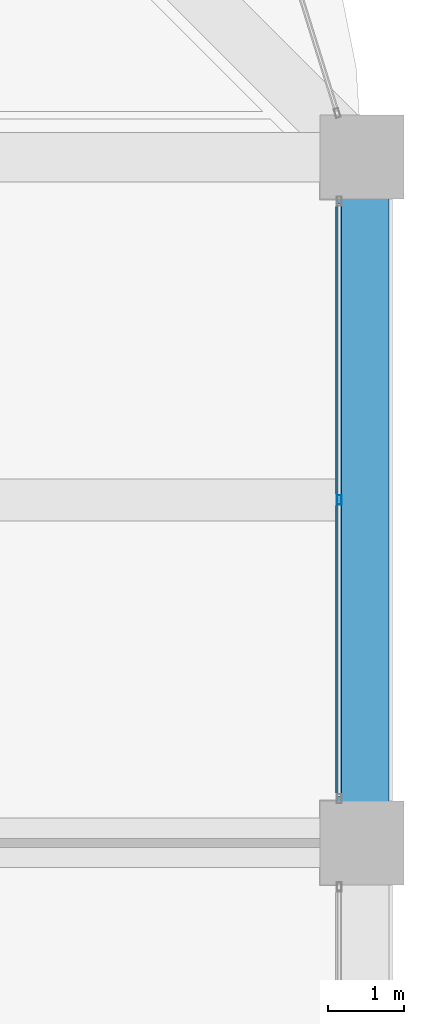
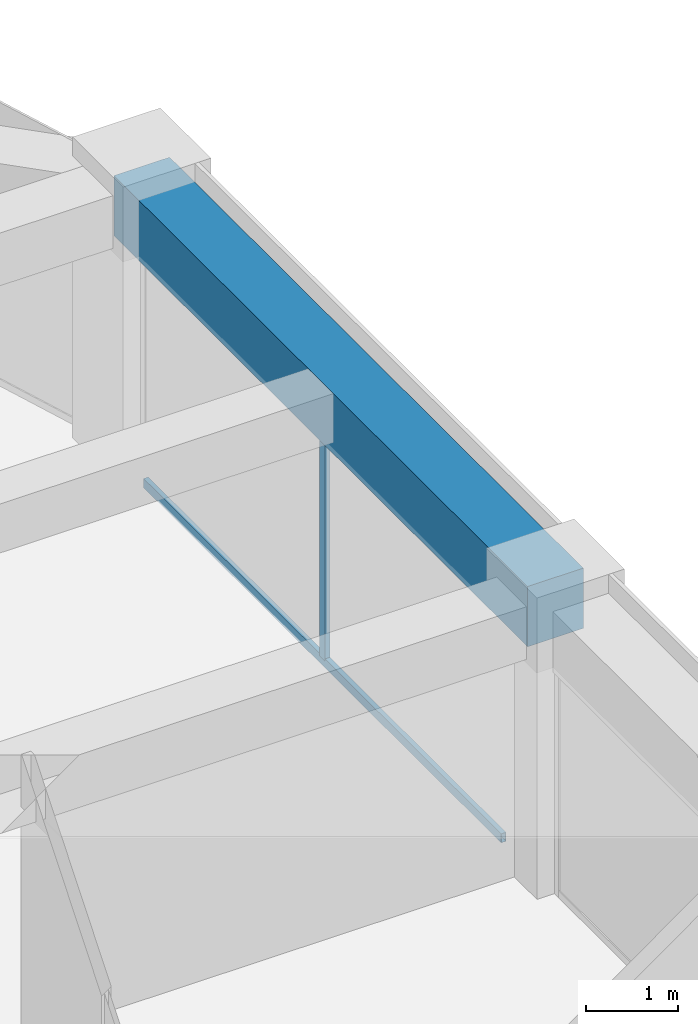
# One storey, part 27 of 44: 2 members, 1 beam, 1 element without a shape of its own.
"""IFC4 building model written with IfcOpenShell, lengths in metres."""

from ifc_helpers import new_model, si_unit, direction, frame, origin, origin_2d, place, context, subcontext, project, spatial, rectangle, hollow_rectangle, extrude, material, material_profile, profile_set, type_object, element, aggregate, save


model = new_model("IFC4")

# Units and contexts
model_context = context("Model", 3, precision=1e-05, world=origin(), true_north=direction((0.0, 1.0)))
body_context = subcontext(model_context, "Body", "Model", "MODEL_VIEW")
ifc_project = project(units=[si_unit("LENGTHUNIT", "METRE"), si_unit("AREAUNIT", "SQUARE_METRE"), si_unit("VOLUMEUNIT", "CUBIC_METRE"), si_unit("PLANEANGLEUNIT", "RADIAN"), si_unit("MASSUNIT", "GRAM", prefix="KILO")], contexts=[model_context])

# Site, building, storey
site_placement = place(None, origin())
site = spatial("IfcSite", under=ifc_project, at=site_placement, CompositionType="ELEMENT")
building_placement = place(site_placement, origin())
building = spatial("IfcBuilding", under=site, at=building_placement, Name="Zorevar Civic Tower", CompositionType="ELEMENT")
storey_placement = place(building_placement, frame((0.0, 0.0, 267.39990234375)))
storey = spatial("IfcBuildingStorey", under=building, at=storey_placement, Name="L65", CompositionType="ELEMENT", Elevation=267.39990234375)

# Curtain wall, members
ifc_material_1 = material(Name="Dark grey solar-control glass in black aluminium frame", Category="aluminium")
curtain_wall_type = type_object("IfcCurtainWallType", Name="Curtain wall CW5 top zone", PredefinedType="NOTDEFINED", material=ifc_material_1)
curtain_wall_placement = place(storey_placement, origin())
curtain_wall = element("IfcCurtainWall", 1, at=curtain_wall_placement, inside=storey, type_object=curtain_wall_type, Name="CW5 L65", PredefinedType="NOTDEFINED")
ifc_material_2 = material(Name="Aluminium, black anodised", Category="aluminium")
ifc_material_profile_1 = material_profile(ifc_material_2, hollow_rectangle(XDim=0.06005859375, YDim=0.1201171875, WallThickness=0.0029296875, at=origin_2d()), Name="AL 120x60x3")
ifc_profile_set_1 = profile_set([ifc_material_profile_1], Name="Aluminium, black anodised")
member_type_1 = type_object("IfcMemberType", Name="CW5 mullion AL 120x60x3", PredefinedType="MULLION", material=ifc_profile_set_1)
member_1_placement = place(storey_placement, frame((53.699951171875, 31.5, 0.06005859375), z_axis=(0.0, 0.0, 1.0), x_axis=(-1.0, 0.0, 0.0)))
member_1 = element("IfcMember", 2, at=member_1_placement, type_object=member_type_1, Name="CW5 mullion 2", PredefinedType="MULLION", context=body_context, shape_type="SweptSolid", body=[
    extrude(hollow_rectangle(XDim=0.06005859375, YDim=0.1201171875, WallThickness=0.0029296875, at=origin_2d()), origin(), (0.0, 0.0, 1.0), 2.89013671875),
])
ifc_material_3 = material(Name="Aluminium, black anodised", Category="aluminium")
ifc_material_profile_2 = material_profile(ifc_material_3, hollow_rectangle(XDim=0.06005859375, YDim=0.1201171875, WallThickness=0.0029296875, at=origin_2d()), Name="AL 120x60x3")
ifc_profile_set_2 = profile_set([ifc_material_profile_2], Name="Aluminium, black anodised")
member_type_2 = type_object("IfcMemberType", Name="CW5 transom AL 120x60x3", PredefinedType="USERDEFINED", material=ifc_profile_set_2)
member_2_placement = place(storey_placement, frame((53.699951171875, 27.610107421875, 0.030029296875), z_axis=(0.0, 1.0, 0.0), x_axis=(-1.0, 0.0, 0.0)))
member_2 = element("IfcMember", 3, at=member_2_placement, type_object=member_type_2, Name="CW5 sill transom", ObjectType="TRANSOM", PredefinedType="USERDEFINED", context=body_context, shape_type="SweptSolid", body=[
    extrude(hollow_rectangle(XDim=0.06005859375, YDim=0.1201171875, WallThickness=0.0029296875, at=origin_2d()), origin(), (0.0, 0.0, 1.0), 7.77978515625),
])
aggregate(curtain_wall, [member_1, member_2])

# Beam
ifc_material_4 = material(Name="Concrete C50/60", Category="concrete")
ifc_material_profile_3 = material_profile(ifc_material_4, rectangle(XDim=0.699951171875, YDim=0.800048828125, at=origin_2d()), Name="RC 700x800")
ifc_profile_set_3 = profile_set([ifc_material_profile_3], Name="Concrete C50/60")
beam_type = type_object("IfcBeamType", Name="Edge beam RC 700x800", PredefinedType="SPANDREL", material=ifc_profile_set_3)
beam_placement = place(storey_placement, frame((54.0, 27.0, 3.35009765625), z_axis=(0.0, 1.0, 0.0), x_axis=(-1.0, 0.0, 0.0)))
element("IfcBeam", 4, at=beam_placement, inside=storey, type_object=beam_type, Name="Edge beam L66", PredefinedType="SPANDREL", context=body_context, shape_type="SweptSolid", body=[
    extrude(rectangle(XDim=0.699951171875, YDim=0.800048828125, at=origin_2d()), origin(), (0.0, 0.0, 1.0), 9.0),
])

save(model, "model.ifc")
